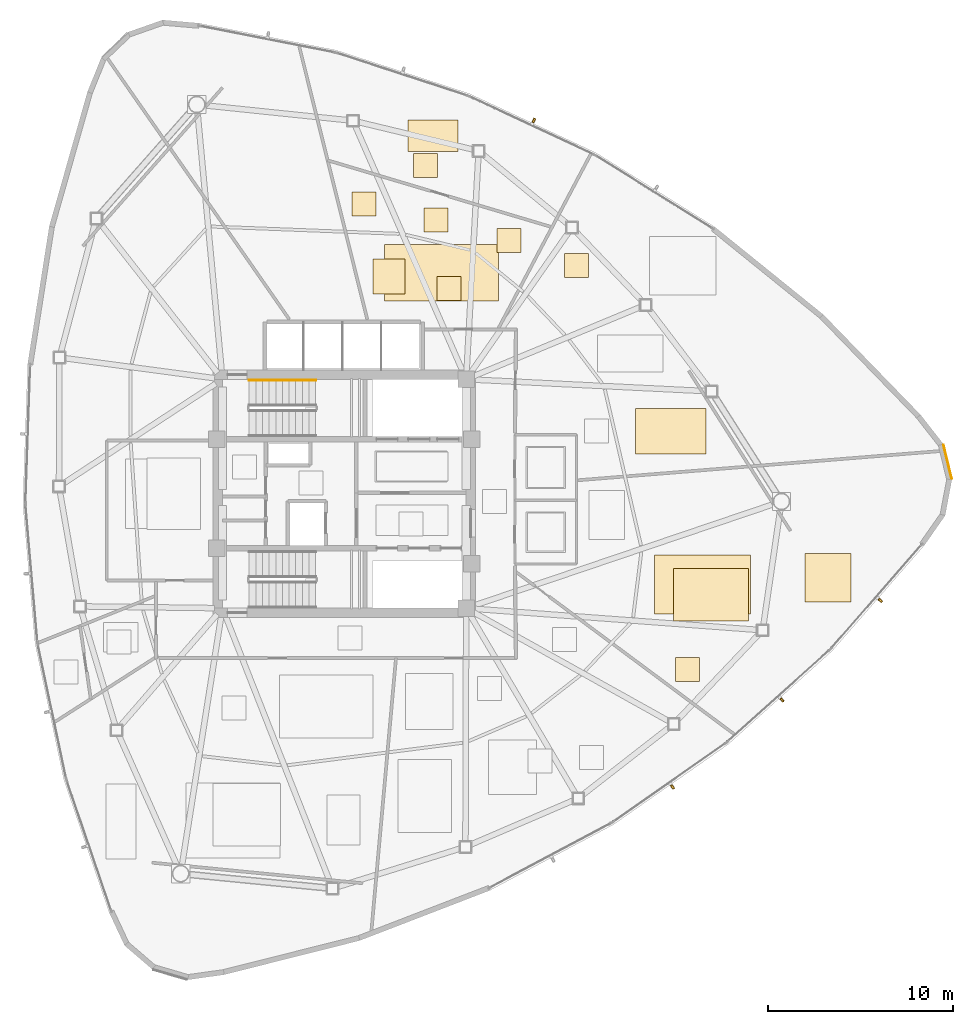
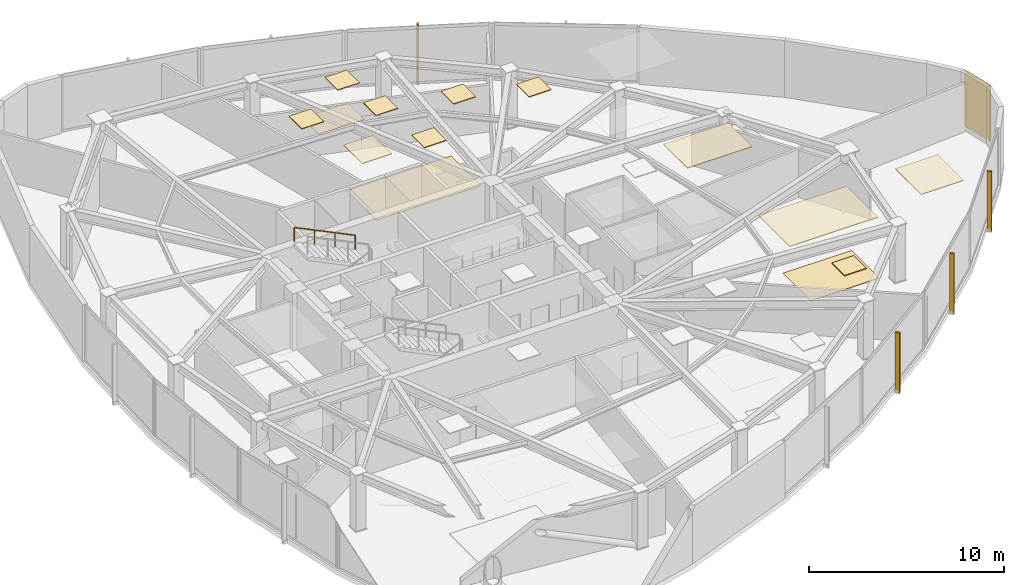
# One storey, part 16 of 17: 15 coverings, 4 shading devices, 1 railing.
"""IFC4 building model written with IfcOpenShell, lengths in metres."""

from ifc_helpers import new_model, si_unit, direction, frame, origin, origin_2d, place, context, subcontext, project, spatial, polyline, rectangle, outline, extrude, source, transform, mapped, material, layer, layer_set, type_object, type_shapes, element, save


model = new_model("IFC4")

# Units and contexts
model_context = context("Model", 3, precision=1e-05, world=origin(), true_north=direction((0.0, 1.0)))
body_context = subcontext(model_context, "Body", "Model", "MODEL_VIEW")
ifc_project = project(units=[si_unit("LENGTHUNIT", "METRE"), si_unit("AREAUNIT", "SQUARE_METRE"), si_unit("VOLUMEUNIT", "CUBIC_METRE"), si_unit("PLANEANGLEUNIT", "RADIAN"), si_unit("MASSUNIT", "GRAM", prefix="KILO")], contexts=[model_context])

# Site, building, storey
site_placement = place(None, origin())
site = spatial("IfcSite", under=ifc_project, at=site_placement, CompositionType="ELEMENT")
building_placement = place(site_placement, origin())
building = spatial("IfcBuilding", under=site, at=building_placement, Name="Tavelor Broadcast Tower", CompositionType="ELEMENT")
storey_placement = place(building_placement, frame((0.0, 0.0, 165.64990234375)))
storey = spatial("IfcBuildingStorey", under=building, at=storey_placement, Name="L39", CompositionType="ELEMENT", Elevation=165.64990234375)

# Covering
ifc_material_1 = material(Name="Copper-Bronze Anodized Aluminium", Category="aluminium")
ifc_layer_1 = layer(ifc_material_1, 0.050048828125)
ifc_layer_set_1 = layer_set([ifc_layer_1], Name="Copper-Bronze Anodized Aluminium")
covering_type_1 = type_object("IfcCoveringType", Name="Champagne-Bronze Corner Pier Metal Cladding 50 mm", PredefinedType="CLADDING", material=ifc_layer_set_1)
covering_1_placement = place(storey_placement, frame((82.67431640625, 46.734130859375, 0.02001953125), z_axis=(0.0, 0.0, 1.0), x_axis=(-0.235990219443, 0.971755430305, 0.0)))
element("IfcCovering", 1, at=covering_1_placement, inside=storey, type_object=covering_type_1, Name="L39 Champagne-Bronze Corner Cladding 23", PredefinedType="CLADDING", context=body_context, shape_type="SweptSolid", body=[
    extrude(rectangle(XDim=1.889404296875, YDim=0.050048828125, at=origin_2d()), origin(), (0.0, 0.0, 1.0), 3.510009765625),
])

# Railing
ifc_material_2 = material(Name="Steel S355", Category="steel")
railing_type = type_object("IfcRailingType", Name="Continuous Brushed Stainless Handrail 900 mm", PredefinedType="HANDRAIL", material=ifc_material_2)
railing_placement = place(storey_placement, frame((48.449951171875, 51.14990234375, 2.10009765625)))
element("IfcRailing", 2, at=railing_placement, inside=storey, type_object=railing_type, Name="L39 ST1 stair handrail 2", PredefinedType="HANDRAIL", context=body_context, shape_type="SweptSolid", body=[
    extrude(rectangle(XDim=0.048095703125, YDim=0.048095703125, at=origin_2d()), frame((0.0, 0.0, 0.8759765625), z_axis=(-0.899360859046, 0.0, 0.437207096483), x_axis=(0.0, -1.0, 0.0)), (0.0, 0.0, 1.0), 4.002685546875),
    extrude(rectangle(XDim=0.0419921875, YDim=0.0419921875, at=origin_2d()), origin(), (0.0, 0.0, 1.0), 0.851806640625),
    extrude(rectangle(XDim=0.0419921875, YDim=0.0419921875, at=origin_2d()), frame((-1.199951171875, 0.0, 0.583251953125)), (0.0, 0.0, 1.0), 0.851806640625),
    extrude(rectangle(XDim=0.0419921875, YDim=0.0419921875, at=origin_2d()), frame((-2.39990234375, 0.0, 1.166748046875)), (0.0, 0.0, 1.0), 0.851806640625),
    extrude(rectangle(XDim=0.0419921875, YDim=0.0419921875, at=origin_2d()), frame((-3.599853515625, 0.0, 1.75)), (0.0, 0.0, 1.0), 0.851806640625),
])

# Coverings
ifc_material_3 = material(Name="Acoustic Nylon Carpet Tile")
ifc_layer_2 = layer(ifc_material_3, 0.02001953125)
ifc_layer_set_2 = layer_set([ifc_layer_2], Name="Acoustic Nylon Carpet Tile")
covering_type_2 = type_object("IfcCoveringType", Name="Heavy-Duty Acoustic Broadcast Carpet Tile 20 mm", PredefinedType="FLOORING", material=ifc_layer_set_2)
covering_2_placement = place(storey_placement, origin())
element("IfcCovering", 3, at=covering_2_placement, inside=storey, type_object=covering_type_2, Name="L39 Broadcast Floor Finish 0577", PredefinedType="FLOORING", context=body_context, shape_type="SweptSolid", body=[
    extrude(outline(polyline([(53.43994140625, 63.5244140625), (56.14990234375, 63.5244140625), (56.14990234375, 65.24609375), (53.43994140625, 65.24609375), (53.43994140625, 63.5244140625)])), origin(), (0.0, 0.0, 1.0), 0.02001953125),
])
covering_3_placement = place(storey_placement, origin())
element("IfcCovering", 4, at=covering_3_placement, inside=storey, type_object=covering_type_2, Name="L39 Broadcast Floor Finish 0578", PredefinedType="FLOORING", context=body_context, shape_type="SweptSolid", body=[
    extrude(outline(polyline([(67.825439453125, 38.095458984375), (71.8798828125, 38.095458984375), (71.8798828125, 40.94189453125), (67.825439453125, 40.94189453125), (67.825439453125, 38.095458984375)])), origin(), (0.0, 0.0, 1.0), 0.02001953125),
])
covering_4_placement = place(storey_placement, origin())
element("IfcCovering", 5, at=covering_4_placement, inside=storey, type_object=covering_type_2, Name="L39 Broadcast Floor Finish 0579", PredefinedType="FLOORING", context=body_context, shape_type="SweptSolid", body=[
    extrude(outline(polyline([(52.166015625, 55.4287109375), (58.35791015625, 55.4287109375), (58.35791015625, 58.487548828125), (52.166015625, 58.487548828125), (52.166015625, 55.4287109375)])), origin(), (0.0, 0.0, 1.0), 0.02001953125),
])
ifc_material_4 = material(Name="Acoustic Mineral Fibre Tile")
ifc_layer_3 = layer(ifc_material_4, 0.0400390625)
ifc_layer_set_3 = layer_set([ifc_layer_3], Name="Acoustic Mineral Fibre Tile")
covering_type_3 = type_object("IfcCoveringType", Name="Suspended Acoustic Mineral-Fibre Office Ceiling 40 mm", PredefinedType="CEILING", material=ifc_layer_set_3)
covering_5_placement = place(storey_placement, frame((0.0, 0.0, 3.510009765625)))
element("IfcCovering", 6, at=covering_5_placement, inside=storey, type_object=covering_type_3, Name="L39 Suspended Acoustic Ceiling 1634", PredefinedType="CEILING", context=body_context, shape_type="SweptSolid", body=[
    extrude(outline(polyline([(53.744384765625, 62.119384765625), (55.04443359375, 62.119384765625), (55.04443359375, 63.41943359375), (53.744384765625, 63.41943359375), (53.744384765625, 62.119384765625)])), origin(), (0.0, 0.0, 1.0), 0.0400390625),
])
covering_6_placement = place(storey_placement, frame((0.0, 0.0, 3.510009765625)))
element("IfcCovering", 7, at=covering_6_placement, inside=storey, type_object=covering_type_3, Name="L39 Suspended Acoustic Ceiling 1637", PredefinedType="CEILING", context=body_context, shape_type="SweptSolid", body=[
    extrude(outline(polyline([(65.76611328125, 47.145751953125), (69.590576171875, 47.145751953125), (69.590576171875, 49.603515625), (65.76611328125, 49.603515625), (65.76611328125, 47.145751953125)])), origin(), (0.0, 0.0, 1.0), 0.0400390625),
])
covering_7_placement = place(storey_placement, frame((0.0, 0.0, 3.510009765625)))
element("IfcCovering", 8, at=covering_7_placement, inside=storey, type_object=covering_type_3, Name="L39 Suspended Acoustic Ceiling 1639", PredefinedType="CEILING", context=body_context, shape_type="SweptSolid", body=[
    extrude(outline(polyline([(61.927734375, 56.70068359375), (63.227783203125, 56.70068359375), (63.227783203125, 58.00048828125), (61.927734375, 58.00048828125), (61.927734375, 56.70068359375)])), origin(), (0.0, 0.0, 1.0), 0.0400390625),
])
covering_8_placement = place(storey_placement, frame((0.0, 0.0, 3.510009765625)))
element("IfcCovering", 9, at=covering_8_placement, inside=storey, type_object=covering_type_3, Name="L39 Suspended Acoustic Ceiling 1641", PredefinedType="CEILING", context=body_context, shape_type="SweptSolid", body=[
    extrude(outline(polyline([(66.80126953125, 38.476806640625), (72.0126953125, 38.476806640625), (72.0126953125, 41.673095703125), (66.80126953125, 41.673095703125), (66.80126953125, 38.476806640625)])), origin(), (0.0, 0.0, 1.0), 0.0400390625),
])
covering_9_placement = place(storey_placement, frame((0.0, 0.0, 3.510009765625)))
element("IfcCovering", 10, at=covering_9_placement, inside=storey, type_object=covering_type_3, Name="L39 Suspended Acoustic Ceiling 1642", PredefinedType="CEILING", context=body_context, shape_type="SweptSolid", body=[
    extrude(outline(polyline([(74.938232421875, 39.1298828125), (77.4443359375, 39.1298828125), (77.4443359375, 41.776611328125), (74.938232421875, 41.776611328125), (74.938232421875, 39.1298828125)])), origin(), (0.0, 0.0, 1.0), 0.0400390625),
])
covering_10_placement = place(storey_placement, frame((0.0, 0.0, 3.510009765625)))
element("IfcCovering", 11, at=covering_10_placement, inside=storey, type_object=covering_type_3, Name="L39 Suspended Acoustic Ceiling 1643", PredefinedType="CEILING", context=body_context, shape_type="SweptSolid", body=[
    extrude(outline(polyline([(67.93115234375, 34.822021484375), (69.231201171875, 34.822021484375), (69.231201171875, 36.1220703125), (67.93115234375, 36.1220703125), (67.93115234375, 34.822021484375)])), origin(), (0.0, 0.0, 1.0), 0.0400390625),
])
covering_11_placement = place(storey_placement, frame((0.0, 0.0, 3.510009765625)))
element("IfcCovering", 12, at=covering_11_placement, inside=storey, type_object=covering_type_3, Name="L39 Suspended Acoustic Ceiling 1644", PredefinedType="CEILING", context=body_context, shape_type="SweptSolid", body=[
    extrude(outline(polyline([(50.425048828125, 60.039794921875), (51.72509765625, 60.039794921875), (51.72509765625, 61.33984375), (50.425048828125, 61.33984375), (50.425048828125, 60.039794921875)])), origin(), (0.0, 0.0, 1.0), 0.0400390625),
])
covering_12_placement = place(storey_placement, frame((0.0, 0.0, 3.510009765625)))
element("IfcCovering", 13, at=covering_12_placement, inside=storey, type_object=covering_type_3, Name="L39 Suspended Acoustic Ceiling 1645", PredefinedType="CEILING", context=body_context, shape_type="SweptSolid", body=[
    extrude(outline(polyline([(54.30810546875, 59.17529296875), (55.608154296875, 59.17529296875), (55.608154296875, 60.475341796875), (54.30810546875, 60.475341796875), (54.30810546875, 59.17529296875)])), origin(), (0.0, 0.0, 1.0), 0.0400390625),
])
covering_13_placement = place(storey_placement, frame((0.0, 0.0, 3.510009765625)))
element("IfcCovering", 14, at=covering_13_placement, inside=storey, type_object=covering_type_3, Name="L39 Suspended Acoustic Ceiling 1646", PredefinedType="CEILING", context=body_context, shape_type="SweptSolid", body=[
    extrude(outline(polyline([(58.26416015625, 58.075927734375), (59.564208984375, 58.075927734375), (59.564208984375, 59.3759765625), (58.26416015625, 59.3759765625), (58.26416015625, 58.075927734375)])), origin(), (0.0, 0.0, 1.0), 0.0400390625),
])
covering_14_placement = place(storey_placement, frame((0.0, 0.0, 3.510009765625)))
element("IfcCovering", 15, at=covering_14_placement, inside=storey, type_object=covering_type_3, Name="L39 Suspended Acoustic Ceiling 1647", PredefinedType="CEILING", context=body_context, shape_type="SweptSolid", body=[
    extrude(outline(polyline([(55.0205078125, 55.454833984375), (56.3203125, 55.454833984375), (56.3203125, 56.7548828125), (55.0205078125, 56.7548828125), (55.0205078125, 55.454833984375)])), origin(), (0.0, 0.0, 1.0), 0.0400390625),
])
covering_15_placement = place(storey_placement, frame((0.0, 0.0, 3.510009765625)))
element("IfcCovering", 16, at=covering_15_placement, inside=storey, type_object=covering_type_3, Name="L39 Suspended Acoustic Ceiling 1648", PredefinedType="CEILING", context=body_context, shape_type="SweptSolid", body=[
    extrude(outline(polyline([(51.550537109375, 55.80859375), (53.297119140625, 55.80859375), (53.297119140625, 57.71826171875), (51.550537109375, 57.71826171875), (51.550537109375, 55.80859375)])), origin(), (0.0, 0.0, 1.0), 0.0400390625),
])

# Shading devices
ifc_material_5 = material(Name="Kiln-Fired Glazed Terracotta", Category="masonry")
shading_device_type = type_object("IfcShadingDeviceType", Name="Extruded Terracotta Baguette Sun-Screen 110x240", PredefinedType="JALOUSIE", material=ifc_material_5)
shared_shape = source(origin(), body_context, "Body", "SweptSolid", [
    extrude(rectangle(XDim=0.110107421875, YDim=0.239990234375, at=origin_2d()), origin(), (0.0, 0.0, 1.0), 3.7900390625),
])
type_shapes(shading_device_type, [shared_shape])
for number, where, z_axis, x_axis, name in (
    (17, (67.777099609375, 29.11669921875, -0.260009765625), (0.0, 0.0, 1.0), (0.819352210326, 0.573290463408, 0.0), "L39 Terracotta Baguette Fin 402"),
    (18, (73.71142578125, 33.828857421875, -0.260009765625), (0.0, 0.0, 1.0), (0.74396176791, 0.668222184522, 0.0), "L39 Terracotta Baguette Fin 403"),
    (19, (79.031982421875, 39.224365234375, -0.260009765625), (0.0, 0.0, 1.0), (0.657638248986, 0.753333879147, 0.0), "L39 Terracotta Baguette Fin 404"),
    (20, (60.266845703125, 65.219482421875, -0.260009765625), (0.0, 0.0, 1.0), (-0.906086380408, 0.423092745435, 0.0), "L39 Terracotta Baguette Fin 406"),
):
    element("IfcShadingDevice", number, at=place(storey_placement, frame(where, z_axis=z_axis, x_axis=x_axis)), inside=storey, type_object=shading_device_type, Name=name, PredefinedType="JALOUSIE", context=body_context, shape_type="MappedRepresentation", body=[
        mapped(shared_shape, transform((0.0, 0.0, 0.0), scale=1.0)),
    ])

save(model, "model.ifc")
